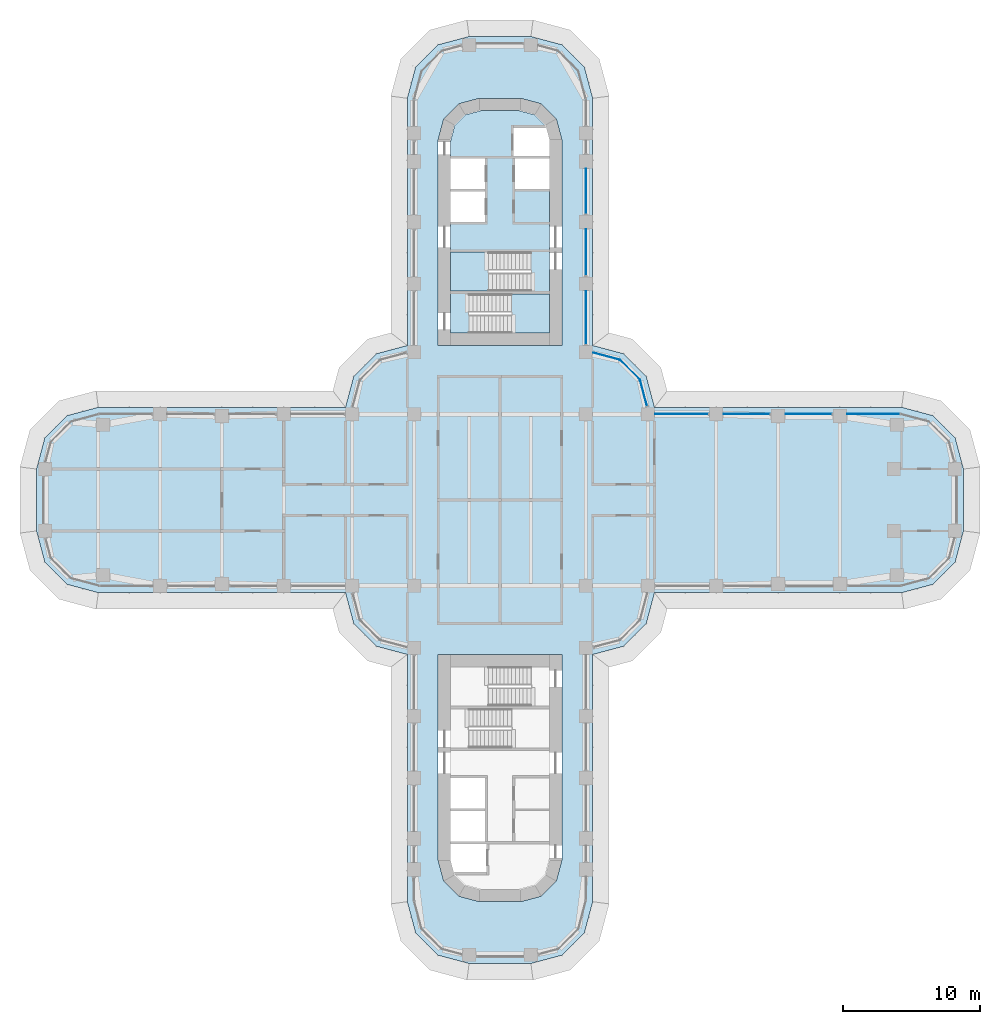
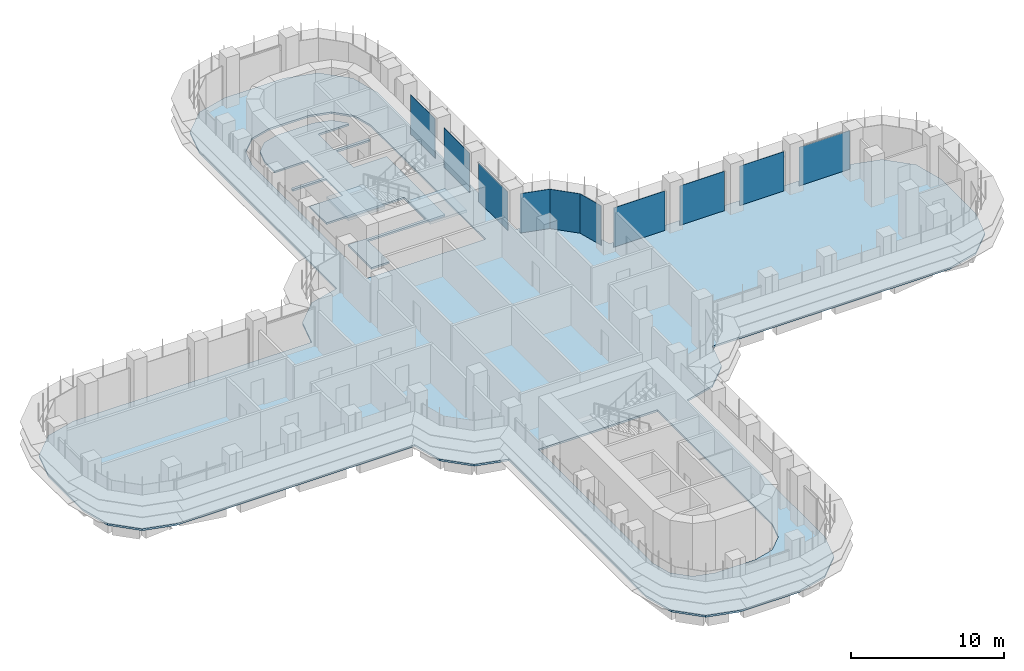
# One storey, part 15 of 23: 10 plates, 4 slabs, 7 elements without a shape of their own.
"""IFC4 building model written with IfcOpenShell, lengths in metres."""

from ifc_helpers import new_model, si_unit, direction, frame, origin, place, context, subcontext, project, spatial, polyline, outline, extrude, source, transform, mapped, material, layer, layer_set, type_object, element, aggregate, save


model = new_model("IFC4")

# Units and contexts
model_context = context("Model", 3, precision=1e-05, world=origin(), true_north=direction((0.0, 1.0)))
body_context = subcontext(model_context, "Body", "Model", "MODEL_VIEW")
ifc_project = project(units=[si_unit("LENGTHUNIT", "METRE"), si_unit("AREAUNIT", "SQUARE_METRE"), si_unit("VOLUMEUNIT", "CUBIC_METRE"), si_unit("PLANEANGLEUNIT", "RADIAN"), si_unit("MASSUNIT", "GRAM", prefix="KILO")], contexts=[model_context])

# Site, building, storey
site_placement = place(None, origin())
site = spatial("IfcSite", under=ifc_project, at=site_placement, CompositionType="ELEMENT")
building_placement = place(site_placement, origin())
building = spatial("IfcBuilding", under=site, at=building_placement, Name="Zarbagh Exchange Tower", CompositionType="ELEMENT")
storey_placement = place(building_placement, frame((0.0, 0.0, 60.60009765625)))
storey = spatial("IfcBuildingStorey", under=building, at=storey_placement, Name="L13", CompositionType="ELEMENT", Elevation=60.60009765625)

# Slabs
ifc_material_1 = material(Name="Concrete C40/50", Category="concrete")
ifc_layer_1 = layer(ifc_material_1, 0.14990234375)
ifc_layer_set_1 = layer_set([ifc_layer_1], Name="Composite floor slab 150 C40/50")
slab_type_1 = type_object("IfcSlabType", Name="Composite floor slab 150 C40/50", PredefinedType="FLOOR", material=ifc_layer_set_1)
slab_1_placement = place(storey_placement, frame((0.0, 0.0, -0.150146484375)))
element("IfcSlab", 1, at=slab_1_placement, inside=storey, type_object=slab_type_1, Name="S5 composite floor slab", PredefinedType="FLOOR", context=body_context, shape_type="SweptSolid", body=[
    extrude(outline(polyline([(-2.25, -33.75), (-4.5, -33.147216796875), (-6.147216796875, -31.5), (-6.75, -29.25), (-6.75, -11.25), (-9.0, -10.647216796875), (-10.647216796875, -9.0), (-11.25, -6.75), (-29.25, -6.75), (-31.5, -6.147216796875), (-33.147216796875, -4.5), (-33.75, -2.25), (-33.75, 2.25), (-33.147216796875, 4.5), (-31.5, 6.147216796875), (-29.25, 6.75), (-11.25, 6.75), (-10.647216796875, 9.0), (-9.0, 10.647216796875), (-6.75, 11.25), (-6.75, 29.25), (-6.147216796875, 31.5), (-4.5, 33.147216796875), (-2.25, 33.75), (2.25, 33.75), (4.5, 33.147216796875), (6.147216796875, 31.5), (6.75, 29.25), (6.75, 11.25), (9.0, 10.647216796875), (10.647216796875, 9.0), (11.25, 6.75), (29.25, 6.75), (31.5, 6.147216796875), (33.147216796875, 4.5), (33.75, 2.25), (33.75, -2.25), (33.147216796875, -4.5), (31.5, -6.147216796875), (29.25, -6.75), (11.25, -6.75), (10.647216796875, -9.0), (9.0, -10.647216796875), (6.75, -11.25), (6.75, -29.25), (6.147216796875, -31.5), (4.5, -33.147216796875), (2.25, -33.75), (-2.25, -33.75)]), holes=[polyline([(4.5, 11.25), (4.5, 26.25), (4.09814453125, 27.75), (3.0, 28.84814453125), (1.5, 29.25), (-1.5, 29.25), (-3.0, 28.84814453125), (-4.09814453125, 27.75), (-4.5, 26.25), (-4.5, 11.25), (4.5, 11.25)]), polyline([(-1.5, -29.25), (1.5, -29.25), (3.0, -28.84814453125), (4.09814453125, -27.75), (4.5, -26.25), (4.5, -11.25), (-4.5, -11.25), (-4.5, -26.25), (-4.09814453125, -27.75), (-3.0, -28.84814453125), (-1.5, -29.25)])]), origin(), (0.0, 0.0, 1.0), 0.150146484375),
])
ifc_layer_2 = layer(ifc_material_1, 0.14990234375)
ifc_layer_set_2 = layer_set([ifc_layer_2], Name="Core floor slab 150 C40/50")
slab_type_2 = type_object("IfcSlabType", Name="Core floor slab 150 C40/50", PredefinedType="FLOOR", material=ifc_layer_set_2)
slab_2_placement = place(storey_placement, frame((0.0, 0.0, -0.150146484375)))
element("IfcSlab", 2, at=slab_2_placement, inside=storey, type_object=slab_type_2, Name="S17 core N", PredefinedType="FLOOR", context=body_context, shape_type="SweptSolid", body=[
    extrude(outline(polyline([(-3.60009765625, 12.14990234375), (-3.60009765625, 15.199951171875), (2.25, 15.199951171875), (2.25, 18.050048828125), (-3.60009765625, 18.050048828125), (-3.60009765625, 20.25), (-1.10009765625, 20.25), (-1.10009765625, 22.449951171875), (-3.60009765625, 22.449951171875), (-3.60009765625, 22.64990234375), (-1.10009765625, 22.64990234375), (-1.10009765625, 24.85009765625), (-3.60009765625, 24.85009765625), (-3.60009765625, 26.131591796875), (-3.291259765625, 27.2841796875), (-2.5341796875, 28.041259765625), (-1.381591796875, 28.35009765625), (1.381591796875, 28.35009765625), (2.5341796875, 28.041259765625), (3.291259765625, 27.2841796875), (3.340576171875, 27.10009765625), (1.0, 27.10009765625), (1.0, 25.050048828125), (3.60009765625, 25.050048828125), (3.60009765625, 24.85009765625), (1.10009765625, 24.85009765625), (1.10009765625, 22.64990234375), (3.60009765625, 22.64990234375), (3.60009765625, 15.0), (-2.25, 15.0), (-2.25, 12.14990234375), (-3.60009765625, 12.14990234375)])), origin(), (0.0, 0.0, 1.0), 0.150146484375),
])

# Stair, slab
stair_type = type_object("IfcStairType", Name="Exit stair two-flight half-turn", PredefinedType="HALF_TURN_STAIR", material=ifc_material_1)
stair_1_placement = place(storey_placement, origin())
stair_1 = element("IfcStair", 3, at=stair_1_placement, inside=storey, type_object=stair_type, Name="exit stair ST1", PredefinedType="HALF_TURN_STAIR")
ifc_layer_3 = layer(ifc_material_1, 0.199951171875)
ifc_layer_set_3 = layer_set([ifc_layer_3], Name="Stair landing 200 mm")
slab_type_3 = type_object("IfcSlabType", Name="Stair landing 200 mm", PredefinedType="LANDING", material=ifc_layer_set_3)
slab_3_placement = place(storey_placement, frame((0.0, 0.0, 1.89990234375)))
slab_3 = element("IfcSlab", 4, at=slab_3_placement, type_object=slab_type_3, Name="ST1 landing 1", PredefinedType="LANDING", context=body_context, shape_type="SweptSolid", body=[
    extrude(outline(polyline([(-0.830078125, 18.050048828125), (-3.60009765625, 18.050048828125), (-3.60009765625, 15.199951171875), (-0.830078125, 15.199951171875), (-0.830078125, 18.050048828125)])), origin(), (0.0, 0.0, 1.0), 0.199951171875),
])
aggregate(stair_1, [slab_3])

stair_2_placement = place(storey_placement, origin())
stair_2 = element("IfcStair", 5, at=stair_2_placement, inside=storey, type_object=stair_type, Name="exit stair ST2", PredefinedType="HALF_TURN_STAIR")
slab_4_placement = place(storey_placement, frame((0.0, 0.0, 1.89990234375)))
slab_4 = element("IfcSlab", 6, at=slab_4_placement, type_object=slab_type_3, Name="ST2 landing 1", PredefinedType="LANDING", context=body_context, shape_type="SweptSolid", body=[
    extrude(outline(polyline([(0.830078125, 12.14990234375), (3.60009765625, 12.14990234375), (3.60009765625, 15.0), (0.830078125, 15.0), (0.830078125, 12.14990234375)])), origin(), (0.0, 0.0, 1.0), 0.199951171875),
])
aggregate(stair_2, [slab_4])

# Curtain wall, plate
ifc_material_2 = material(Name="Anodised aluminium frame and glazing", Category="aluminium")
curtain_wall_type = type_object("IfcCurtainWallType", Name="CWA Ribbon glazing, lower zones", PredefinedType="NOTDEFINED", material=ifc_material_2)
curtain_wall_1_placement = place(storey_placement, origin())
curtain_wall_1 = element("IfcCurtainWall", 7, at=curtain_wall_1_placement, inside=storey, type_object=curtain_wall_type, Name="CWA18 curtain wall", PredefinedType="NOTDEFINED")
ifc_material_3 = material(Name="Low-e double glazed unit, 6+12+6 mm")
ifc_layer_4 = layer(ifc_material_3, 0.028076171875)
ifc_layer_set_4 = layer_set([ifc_layer_4], Name="PAA Glazing panel, Low-e double glazed unit, 6+12+6 mm")
plate_type = type_object("IfcPlateType", Name="PAA Glazing panel, Low-e double glazed unit, 6+12+6 mm", PredefinedType="CURTAIN_PANEL", material=ifc_layer_set_4)
shared_shape_1 = source(origin(), body_context, "Body", "SweptSolid", [
    extrude(outline(polyline([(0.0, -0.013916015625), (2.061279296875, -0.013916015625), (2.061279296875, 0.013916015625), (0.0, 0.013916015625), (0.0, -0.013916015625)])), origin(), (0.0, 0.0, 1.0), 3.14990234375),
])
placement = place(storey_placement, origin())
plate_1 = element("IfcPlate", 8, at=placement, type_object=plate_type, Name="CWA18 glazing panel 1.1", PredefinedType="CURTAIN_PANEL", context=body_context, shape_type="MappedRepresentation", body=[
    mapped(shared_shape_1, transform((10.19873046875, 8.7412109375, 0.0), x_axis=(-0.707106781187, 0.707106781187, 0.0), y_axis=(-0.707106781187, -0.707106781187, 0.0), z_axis=(0.0, 0.0, 1.0))),
])
aggregate(curtain_wall_1, [plate_1])

curtain_wall_2_placement = place(storey_placement, origin())
curtain_wall_2 = element("IfcCurtainWall", 9, at=curtain_wall_2_placement, inside=storey, type_object=curtain_wall_type, Name="CWA20 curtain wall", PredefinedType="NOTDEFINED")
shared_shape_2 = source(origin(), body_context, "Body", "SweptSolid", [
    extrude(outline(polyline([(0.0, -0.013916015625), (3.260009765625, -0.013916015625), (3.260009765625, 0.013916015625), (0.0, 0.013916015625), (0.0, -0.013916015625)])), origin(), (0.0, 0.0, 1.0), 3.14990234375),
])
plate_2 = element("IfcPlate", 10, at=placement, type_object=plate_type, Name="CWA20 glazing panel 3.1", PredefinedType="CURTAIN_PANEL", context=body_context, shape_type="MappedRepresentation", body=[
    mapped(shared_shape_2, transform((6.25, 20.85009765625, 0.0), x_axis=(0.0, 1.0, 0.0), y_axis=(-1.0, 0.0, 0.0), z_axis=(0.0, 0.0, 1.0))),
])

# Curtain wall, plates
curtain_wall_3_placement = place(storey_placement, origin())
curtain_wall_3 = element("IfcCurtainWall", 11, at=curtain_wall_3_placement, inside=storey, type_object=curtain_wall_type, Name="CWA16 curtain wall", PredefinedType="NOTDEFINED")
shared_shape_3 = source(origin(), body_context, "Body", "SweptSolid", [
    extrude(outline(polyline([(0.0, -0.013916015625), (3.360107421875, -0.013916015625), (3.360107421875, 0.013916015625), (0.0, 0.013916015625), (0.0, -0.013916015625)])), origin(), (0.0, 0.0, 1.0), 3.14990234375),
])
plate_3 = element("IfcPlate", 12, at=placement, type_object=plate_type, Name="CWA16 glazing panel 2.1", PredefinedType="CURTAIN_PANEL", context=body_context, shape_type="MappedRepresentation", body=[
    mapped(shared_shape_3, transform((24.14990234375, 6.25, 0.0), x_axis=(-1.0, 0.0, 0.0), y_axis=(0.0, -1.0, 0.0), z_axis=(0.0, 0.0, 1.0))),
])
plate_4 = element("IfcPlate", 13, at=placement, type_object=plate_type, Name="CWA16 glazing panel 3.1", PredefinedType="CURTAIN_PANEL", context=body_context, shape_type="MappedRepresentation", body=[
    mapped(shared_shape_3, transform((19.64990234375, 6.25, 0.0), x_axis=(-1.0, 0.0, 0.0), y_axis=(0.0, -1.0, 0.0), z_axis=(0.0, 0.0, 1.0))),
])

# Plate
plate_5 = element("IfcPlate", 14, at=placement, type_object=plate_type, Name="CWA20 glazing panel 2.1", PredefinedType="CURTAIN_PANEL", context=body_context, shape_type="MappedRepresentation", body=[
    mapped(shared_shape_3, transform((6.25, 16.35009765625, 0.0), x_axis=(0.0, 1.0, 0.0), y_axis=(-1.0, 0.0, 0.0), z_axis=(0.0, 0.0, 1.0))),
])

# Curtain wall, plate
curtain_wall_4_placement = place(storey_placement, origin())
curtain_wall_4 = element("IfcCurtainWall", 15, at=curtain_wall_4_placement, inside=storey, type_object=curtain_wall_type, Name="CWA17 curtain wall", PredefinedType="NOTDEFINED")
shared_shape_4 = source(origin(), body_context, "Body", "SweptSolid", [
    extrude(outline(polyline([(0.0, -0.013916015625), (1.9599609375, -0.013916015625), (1.9599609375, 0.013916015625), (0.0, 0.013916015625), (0.0, -0.013916015625)])), origin(), (0.0, 0.0, 1.0), 3.14990234375),
])
plate_6 = element("IfcPlate", 16, at=placement, type_object=plate_type, Name="CWA17 glazing panel 1.1", PredefinedType="CURTAIN_PANEL", context=body_context, shape_type="MappedRepresentation", body=[
    mapped(shared_shape_4, transform((10.7060546875, 6.847900390625, 0.0), x_axis=(-0.258824779902, 0.965924289636, 0.0), y_axis=(-0.965924289636, -0.258824779902, 0.0), z_axis=(0.0, 0.0, 1.0))),
])
aggregate(curtain_wall_4, [plate_6])

curtain_wall_5_placement = place(storey_placement, origin())
curtain_wall_5 = element("IfcCurtainWall", 17, at=curtain_wall_5_placement, inside=storey, type_object=curtain_wall_type, Name="CWA19 curtain wall", PredefinedType="NOTDEFINED")
shared_shape_5 = source(origin(), body_context, "Body", "SweptSolid", [
    extrude(outline(polyline([(0.0, -0.013916015625), (2.02001953125, -0.013916015625), (2.02001953125, 0.013916015625), (0.0, 0.013916015625), (0.0, -0.013916015625)])), origin(), (0.0, 0.0, 1.0), 3.14990234375),
])
plate_7 = element("IfcPlate", 18, at=placement, type_object=plate_type, Name="CWA19 glazing panel 1.1", PredefinedType="CURTAIN_PANEL", context=body_context, shape_type="MappedRepresentation", body=[
    mapped(shared_shape_5, transform((8.7412109375, 10.19873046875, 0.0), x_axis=(-0.965924289636, 0.258824779902, 0.0), y_axis=(-0.258824779902, -0.965924289636, 0.0), z_axis=(0.0, 0.0, 1.0))),
])
aggregate(curtain_wall_5, [plate_7])

# Plate
shared_shape_6 = source(origin(), body_context, "Body", "SweptSolid", [
    extrude(outline(polyline([(0.0, -0.013916015625), (3.860107421875, -0.013916015625), (3.860107421875, 0.013916015625), (0.0, 0.013916015625), (0.0, -0.013916015625)])), origin(), (0.0, 0.0, 1.0), 3.090087890625),
])
plate_8 = element("IfcPlate", 19, at=placement, type_object=plate_type, Name="CWA20 glazing panel 1.1", PredefinedType="CURTAIN_PANEL", context=body_context, shape_type="MappedRepresentation", body=[
    mapped(shared_shape_6, transform((6.25, 11.35009765625, 0.0), x_axis=(0.0, 1.0, 0.0), y_axis=(-1.0, 0.0, 0.0), z_axis=(0.0, 0.0, 1.0))),
])

aggregate(curtain_wall_2, [plate_8, plate_5, plate_2])

shared_shape_7 = source(origin(), body_context, "Body", "SweptSolid", [
    extrude(outline(polyline([(0.0, -0.013916015625), (3.834228515625, -0.013916015625), (3.834228515625, 0.013916015625), (0.0, 0.013916015625), (0.0, -0.013916015625)])), origin(), (0.0, 0.0, 1.0), 3.090087890625),
])
plate_9 = element("IfcPlate", 20, at=placement, type_object=plate_type, Name="CWA16 glazing panel 1.1", PredefinedType="CURTAIN_PANEL", context=body_context, shape_type="MappedRepresentation", body=[
    mapped(shared_shape_7, transform((29.124267578125, 6.25, 0.0), x_axis=(-1.0, 0.0, 0.0), y_axis=(0.0, -1.0, 0.0), z_axis=(0.0, 0.0, 1.0))),
])

shared_shape_8 = source(origin(), body_context, "Body", "SweptSolid", [
    extrude(outline(polyline([(0.0, -0.013916015625), (3.860107421875, -0.013916015625), (3.860107421875, 0.013916015625), (0.0, 0.013916015625), (0.0, -0.013916015625)])), origin(), (0.0, 0.0, 1.0), 3.14990234375),
])
plate_10 = element("IfcPlate", 21, at=placement, type_object=plate_type, Name="CWA16 glazing panel 4.1", PredefinedType="CURTAIN_PANEL", context=body_context, shape_type="MappedRepresentation", body=[
    mapped(shared_shape_8, transform((15.14990234375, 6.25, 0.0), x_axis=(-1.0, 0.0, 0.0), y_axis=(0.0, -1.0, 0.0), z_axis=(0.0, 0.0, 1.0))),
])

aggregate(curtain_wall_3, [plate_9, plate_3, plate_4, plate_10])

save(model, "model.ifc")
